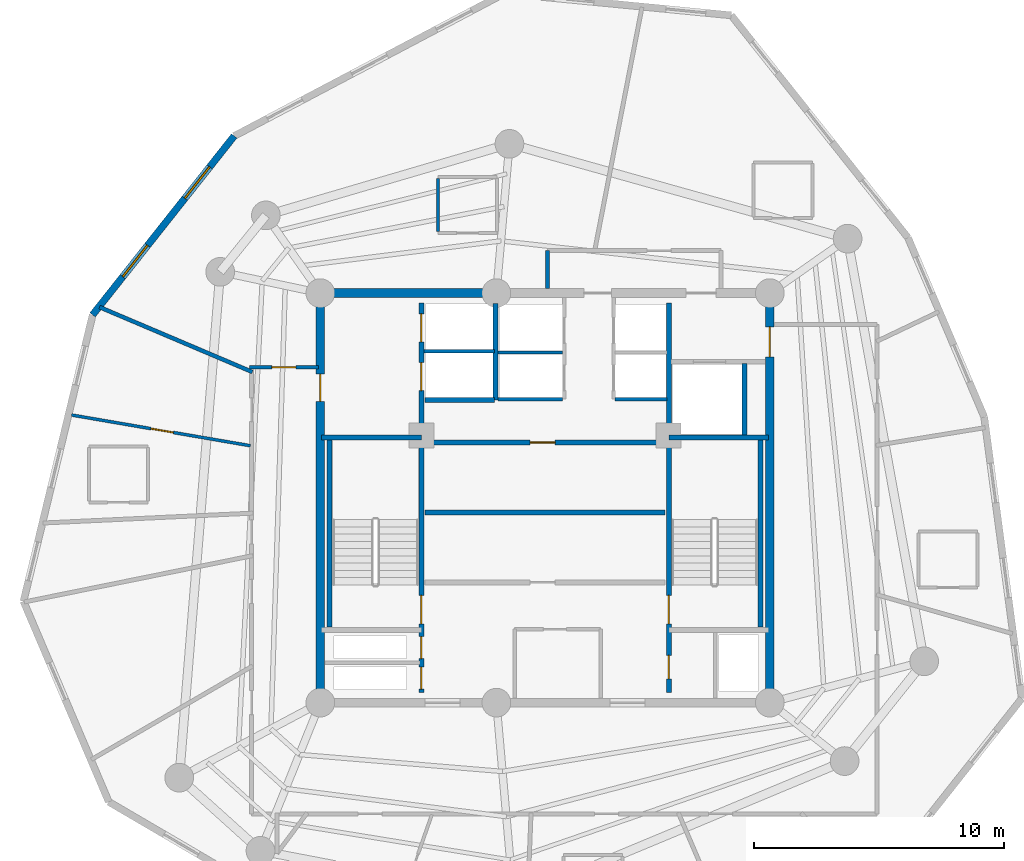
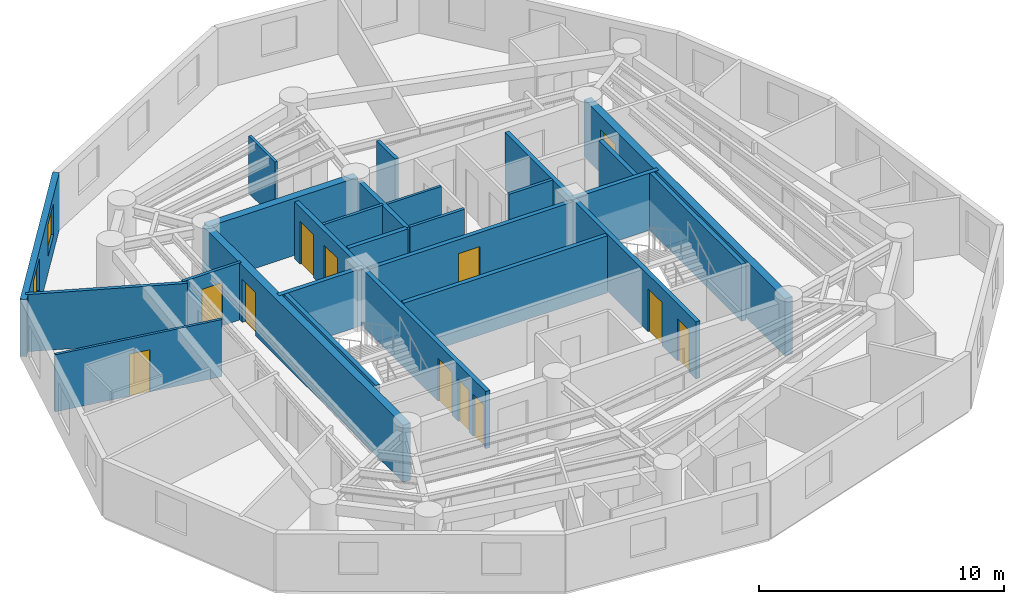
# One storey, part 4 of 7: 24 walls, 12 doors, 2 windows, 14 openings.
"""IFC4 building model written with IfcOpenShell, lengths in metres."""

from ifc_helpers import new_model, si_unit, direction, frame, frame_2d, origin, origin_with_axes, place, context, subcontext, project, spatial, rectangle, extrude, source, transform, mapped, material, layer, layer_set, type_object, element, fill, save


model = new_model("IFC4")

# Units and contexts
model_context = context("Model", 3, precision=1e-05, world=origin(), true_north=direction((0.0, 1.0)))
body_context = subcontext(model_context, "Body", "Model", "MODEL_VIEW")
ifc_project = project(units=[si_unit("LENGTHUNIT", "METRE"), si_unit("AREAUNIT", "SQUARE_METRE"), si_unit("VOLUMEUNIT", "CUBIC_METRE"), si_unit("PLANEANGLEUNIT", "RADIAN"), si_unit("MASSUNIT", "GRAM", prefix="KILO")], contexts=[model_context])

# Site, building, storey
site_placement = place(None, origin())
site = spatial("IfcSite", under=ifc_project, at=site_placement, CompositionType="ELEMENT")
building_placement = place(site_placement, origin())
building = spatial("IfcBuilding", under=site, at=building_placement, Name="Karkom Vertical University and Central Library", CompositionType="ELEMENT")
storey_placement = place(building_placement, frame((0.0, 0.0, 244.35009765625)))
storey = spatial("IfcBuildingStorey", under=building, at=storey_placement, Name="L72", CompositionType="ELEMENT", Elevation=244.35009765625)

# Wall, openings, windows
ifc_material_1 = material(Name="Brick-faced precast concrete C45/55", Category="masonry")
ifc_layer_1 = layer(ifc_material_1, 0.280029296875)
ifc_layer_set_1 = layer_set([ifc_layer_1], Name="Brick-faced precast concrete C45/55")
wall_type_1 = type_object("IfcWallType", Name="ENV-WL-BRK-280", PredefinedType="SOLIDWALL", material=ifc_layer_set_1)
wall_1_placement = place(storey_placement, frame((16.04931640625, 40.993896484375, 0.0), z_axis=(0.0, 0.0, 1.0), x_axis=(-0.620583849852, -0.784140092906, 0.0)))
wall_1 = element("IfcWall", 1, at=wall_1_placement, inside=storey, type_object=wall_type_1, Name="Level 72 Brick-Faced Precast Facade Wall 11", PredefinedType="SOLIDWALL", context=body_context, shape_type="SweptSolid", body=[
    extrude(rectangle(XDim=9.13671875, YDim=0.280029296875, at=frame_2d((4.568359375, 0.0))), origin(), (0.0, 0.0, 1.0), 2.849853515625),
])
opening_1_placement = place(wall_1_placement, frame((1.5830078125, 0.0, 0.85009765625)))
opening_1 = element("IfcOpeningElement", 2, at=opening_1_placement, cuts=wall_1, Name="Opening WN-10", PredefinedType="OPENING", context=body_context, shape_type="SweptSolid", body=[
    extrude(rectangle(XDim=1.60009765625, YDim=1.60009765625, at=frame_2d((0.800048828125, 0.800048828125))), frame((0.0, 0.14990234375, 0.0), z_axis=(0.0, -1.0, 0.0), x_axis=(1.0, 0.0, 0.0)), (0.0, 0.0, 1.0), 0.300048828125),
])
opening_2_placement = place(wall_1_placement, frame((5.5888671875, 0.0, 0.85009765625)))
opening_2 = element("IfcOpeningElement", 3, at=opening_2_placement, cuts=wall_1, Name="Opening WN-10", PredefinedType="OPENING", context=body_context, shape_type="SweptSolid", body=[
    extrude(rectangle(XDim=1.60009765625, YDim=1.60009765625, at=frame_2d((0.800048828125, 0.800048828125))), frame((0.0, 0.14990234375, 0.0), z_axis=(0.0, -1.0, 0.0), x_axis=(1.0, 0.0, 0.0)), (0.0, 0.0, 1.0), 0.300048828125),
])
ifc_material_2 = material(Name="Aluminium thermal-break frame with solar-control IGU", Category="aluminium")
window_type = type_object("IfcWindowType", Name="ENV-WIN-WN-10", PartitioningType="SINGLE_PANEL", PredefinedType="WINDOW", material=ifc_material_2)
shared_shape_1 = source(origin_with_axes(), body_context, "Body", "SweptSolid", [
    extrude(rectangle(XDim=1.60009765625, YDim=1.60009765625, at=frame_2d((0.800048828125, 0.800048828125))), frame((0.0, 0.030029296875, 0.0), z_axis=(0.0, -1.0, 0.0), x_axis=(1.0, 0.0, 0.0)), (0.0, 0.0, 1.0), 0.06005859375),
])
window_1_placement = place(opening_1_placement, origin())
window_1 = element("IfcWindow", 4, at=window_1_placement, inside=storey, type_object=window_type, Name="Level 72 Punched Window 11.1", OverallHeight=1.60009765625, OverallWidth=1.60009765625, PartitioningType="SINGLE_PANEL", PredefinedType="WINDOW", context=body_context, shape_type="MappedRepresentation", body=[
    mapped(shared_shape_1, transform((0.0, 0.0, 0.0), scale=1.0)),
])
fill(opening_1, window_1)
window_2_placement = place(opening_2_placement, origin())
window_2 = element("IfcWindow", 5, at=window_2_placement, inside=storey, type_object=window_type, Name="Level 72 Punched Window 11.2", OverallHeight=1.60009765625, OverallWidth=1.60009765625, PartitioningType="SINGLE_PANEL", PredefinedType="WINDOW", context=body_context, shape_type="MappedRepresentation", body=[
    mapped(shared_shape_1, transform((0.0, 0.0, 0.0), scale=1.0)),
])
fill(opening_2, window_2)

# Walls
ifc_material_3 = material(Name="Insulated metal-stud drywall 160mm", Category="gypsum")
ifc_layer_2 = layer(ifc_material_3, 0.159912109375)
ifc_layer_set_2 = layer_set([ifc_layer_2], Name="Insulated metal-stud drywall 160mm")
wall_type_2 = type_object("IfcWallType", Name="INT-WL-COR-160", PredefinedType="PARTITIONING", material=ifc_layer_set_2)
wall_2_placement = place(storey_placement, frame((16.777587890625, 31.541015625, 0.0), z_axis=(0.0, 0.0, 1.0), x_axis=(-0.920499732199, 0.390743193188, 0.0)))
element("IfcWall", 6, at=wall_2_placement, inside=storey, type_object=wall_type_2, Name="Level 72 Interior Partition Wall L72-PW-015", PredefinedType="PARTITIONING", context=body_context, shape_type="SweptSolid", body=[
    extrude(rectangle(XDim=6.6474609375, YDim=0.159912109375, at=frame_2d((3.32373046875, 0.0))), origin(), (0.0, 0.0, 1.0), 2.849853515625),
])
wall_3_placement = place(storey_placement, frame((28.60009765625, 34.882080078125, 0.0), z_axis=(0.0, 0.0, 1.0), x_axis=(0.0, 1.0, 0.0)))
element("IfcWall", 7, at=wall_3_placement, inside=storey, type_object=wall_type_2, Name="Level 72 Interior Partition Wall L72-CORW-CW-006", PredefinedType="PARTITIONING", context=body_context, shape_type="SweptSolid", body=[
    extrude(rectangle(XDim=1.517822265625, YDim=0.159912109375, at=frame_2d((0.7587890625, 0.0))), origin(), (0.0, 0.0, 1.0), 2.849853515625),
])

# Wall, opening, door
ifc_material_4 = material(Name="Moisture-resistant drywall 120mm", Category="gypsum")
ifc_layer_3 = layer(ifc_material_4, 0.1201171875)
ifc_layer_set_3 = layer_set([ifc_layer_3], Name="Moisture-resistant drywall 120mm")
wall_type_3 = type_object("IfcWallType", Name="INT-WL-INT-120", PredefinedType="PARTITIONING", material=ifc_layer_set_3)
wall_4_placement = place(storey_placement, frame((16.69970703125, 28.588134765625, 0.0), z_axis=(0.0, 0.0, 1.0), x_axis=(-0.98556527765, 0.16929584605, 0.0)))
wall_4 = element("IfcWall", 8, at=wall_4_placement, inside=storey, type_object=wall_type_3, Name="Level 72 Interior Partition Wall L72-APT-12-DIV", PredefinedType="PARTITIONING", context=body_context, shape_type="SweptSolid", body=[
    extrude(rectangle(XDim=7.265380859375, YDim=0.1201171875, at=frame_2d((3.6328125, 0.0))), origin(), (0.0, 0.0, 1.0), 2.849853515625),
])
opening_3_placement = place(wall_4_placement, frame((3.139892578125, 0.0, 0.0)))
opening_3 = element("IfcOpeningElement", 9, at=opening_3_placement, cuts=wall_4, Name="Opening D-INT1", PredefinedType="OPENING", context=body_context, shape_type="SweptSolid", body=[
    extrude(rectangle(XDim=0.89990234375, YDim=2.10009765625, at=frame_2d((0.449951171875, 1.050048828125))), frame((0.0, 0.070068359375, 0.0), z_axis=(0.0, -1.0, 0.0), x_axis=(1.0, 0.0, 0.0)), (0.0, 0.0, 1.0), 0.14013671875),
])
ifc_material_5 = material(Name="Painted solid-core timber door", Category="wood")
door_type_1 = type_object("IfcDoorType", Name="INT-DR-INT1", OperationType="NOTDEFINED", PredefinedType="DOOR", material=ifc_material_5)
shared_shape_2 = source(origin_with_axes(), body_context, "Body", "SweptSolid", [
    extrude(rectangle(XDim=0.89990234375, YDim=2.10009765625, at=frame_2d((0.449951171875, 1.050048828125))), frame((0.0, 0.02490234375, 0.0), z_axis=(0.0, -1.0, 0.0), x_axis=(1.0, 0.0, 0.0)), (0.0, 0.0, 1.0), 0.050048828125),
])
door_1_placement = place(opening_3_placement, origin())
door_1 = element("IfcDoor", 10, at=door_1_placement, inside=storey, type_object=door_type_1, Name="Level 72 Flat L72-12 Internal Door", OperationType="SINGLE_SWING_LEFT", OverallHeight=2.10009765625, OverallWidth=0.89990234375, PredefinedType="DOOR", context=body_context, shape_type="MappedRepresentation", body=[
    mapped(shared_shape_2, transform((0.0, 0.0, 0.0), scale=1.0)),
])
fill(opening_3, door_1)

# Walls
ifc_layer_4 = layer(ifc_material_4, 0.1201171875)
ifc_layer_set_4 = layer_set([ifc_layer_4], Name="Moisture-resistant drywall 120mm")
wall_type_4 = type_object("IfcWallType", Name="INT-WL-INT-120F", PredefinedType="PARTITIONING", material=ifc_layer_set_4)
wall_5_placement = place(storey_placement, frame((24.220947265625, 39.298095703125, 0.0), z_axis=(0.0, 0.0, 1.0), x_axis=(0.0, -1.0, 0.0)))
element("IfcWall", 11, at=wall_5_placement, inside=storey, type_object=wall_type_4, Name="Level 72 Interior Partition Wall L72-ENS-50-W", PredefinedType="PARTITIONING", context=body_context, shape_type="SweptSolid", body=[
    extrude(rectangle(XDim=2.14013671875, YDim=0.1201171875, at=frame_2d((1.070068359375, 0.0))), origin(), (0.0, 0.0, 1.0), 2.849853515625),
])
ifc_layer_5 = layer(ifc_material_4, 0.1201171875)
ifc_layer_set_5 = layer_set([ifc_layer_5], Name="Moisture-resistant drywall 120mm")
wall_type_5 = type_object("IfcWallType", Name="INT-WL-INT-120H", PredefinedType="PARTITIONING", material=ifc_layer_set_5)
wall_6_placement = place(storey_placement, frame((26.6201171875, 32.320068359375, 0.0), z_axis=(0.0, 0.0, 1.0), x_axis=(1.0, 0.0, 0.0)))
element("IfcWall", 12, at=wall_6_placement, inside=storey, type_object=wall_type_5, Name="Level 72 Interior Partition Wall L72-CW-PH-MW", PredefinedType="PARTITIONING", context=body_context, shape_type="SweptSolid", body=[
    extrude(rectangle(XDim=2.579833984375, YDim=0.1201171875, at=frame_2d((1.2900390625, 0.0))), origin(), (0.0, 0.0, 1.0), 2.849853515625),
])

# Wall, opening, door
ifc_material_6 = material(Name="Metal-stud gypsum partition 140mm", Category="gypsum")
ifc_layer_6 = layer(ifc_material_6, 0.139892578125)
ifc_layer_set_6 = layer_set([ifc_layer_6], Name="Metal-stud gypsum partition 140mm")
wall_type_6 = type_object("IfcWallType", Name="INT-WL-SUB-140", PredefinedType="PARTITIONING", material=ifc_layer_set_6)
wall_7_placement = place(storey_placement, frame((19.419921875, 31.72998046875, 0.0), z_axis=(0.0, 0.0, 1.0), x_axis=(-1.0, 0.0, 0.0)))
wall_7 = element("IfcWall", 13, at=wall_7_placement, inside=storey, type_object=wall_type_6, Name="Level 72 Interior Partition Wall L72-CWALL-420", PredefinedType="PARTITIONING", context=body_context, shape_type="SweptSolid", body=[
    extrude(rectangle(XDim=2.75, YDim=0.139892578125, at=frame_2d((1.375, 0.0))), origin(), (0.0, 0.0, 1.0), 2.849853515625),
])
opening_4_placement = place(wall_7_placement, frame((0.89990234375, 0.0, 0.0)))
opening_4 = element("IfcOpeningElement", 14, at=opening_4_placement, cuts=wall_7, Name="Opening FD-RM2", PredefinedType="OPENING", context=body_context, shape_type="SweptSolid", body=[
    extrude(rectangle(XDim=0.9599609375, YDim=2.14990234375, at=frame_2d((0.47998046875, 1.074951171875))), frame((0.0, 0.080078125, 0.0), z_axis=(0.0, -1.0, 0.0), x_axis=(1.0, 0.0, 0.0)), (0.0, 0.0, 1.0), 0.159912109375),
])
ifc_material_7 = material(Name="Fire-rated oak veneer door", Category="wood")
door_type_2 = type_object("IfcDoorType", Name="INT-DR-FRM2", OperationType="NOTDEFINED", PredefinedType="DOOR", material=ifc_material_7)
shared_shape_3 = source(origin_with_axes(), body_context, "Body", "SweptSolid", [
    extrude(rectangle(XDim=0.9599609375, YDim=2.14990234375, at=frame_2d((0.47998046875, 1.074951171875))), frame((0.0, 0.02490234375, 0.0), z_axis=(0.0, -1.0, 0.0), x_axis=(1.0, 0.0, 0.0)), (0.0, 0.0, 1.0), 0.050048828125),
])
door_2_placement = place(opening_4_placement, origin())
door_2 = element("IfcDoor", 15, at=door_2_placement, inside=storey, type_object=door_type_2, Name="Level 72 Room Entry Door 420", OperationType="SINGLE_SWING_LEFT", OverallHeight=2.14990234375, OverallWidth=0.9599609375, PredefinedType="DOOR", context=body_context, shape_type="MappedRepresentation", body=[
    mapped(shared_shape_3, transform((0.0, 0.0, 0.0), scale=1.0)),
])
fill(opening_4, door_2)

# Walls
ifc_layer_7 = layer(ifc_material_6, 0.139892578125)
ifc_layer_set_7 = layer_set([ifc_layer_7], Name="Metal-stud gypsum partition 140mm")
wall_type_7 = type_object("IfcWallType", Name="INT-WL-SUB-140H", PredefinedType="PARTITIONING", material=ifc_layer_set_7)
wall_8_placement = place(storey_placement, frame((26.6201171875, 30.449951171875, 0.0), z_axis=(0.0, 0.0, 1.0), x_axis=(1.0, 0.0, 0.0)))
element("IfcWall", 16, at=wall_8_placement, inside=storey, type_object=wall_type_7, Name="Level 72 Interior Partition Wall L72-CW-PH-S1", PredefinedType="PARTITIONING", context=body_context, shape_type="SweptSolid", body=[
    extrude(rectangle(XDim=2.579833984375, YDim=0.139892578125, at=frame_2d((1.2900390625, 0.0))), origin(), (0.0, 0.0, 1.0), 2.849853515625),
])
wall_9_placement = place(storey_placement, frame((31.300048828125, 30.449951171875, 0.0), z_axis=(0.0, 0.0, 1.0), x_axis=(1.0, 0.0, 0.0)))
element("IfcWall", 17, at=wall_9_placement, inside=storey, type_object=wall_type_7, Name="Level 72 Interior Partition Wall L72-CW-PH-S2", PredefinedType="PARTITIONING", context=body_context, shape_type="SweptSolid", body=[
    extrude(rectangle(XDim=2.074951171875, YDim=0.139892578125, at=frame_2d((1.03759765625, 0.0))), origin(), (0.0, 0.0, 1.0), 2.849853515625),
])
ifc_layer_8 = layer(ifc_material_6, 0.139892578125)
ifc_layer_set_8 = layer_set([ifc_layer_8], Name="Metal-stud gypsum partition 140mm")
wall_type_8 = type_object("IfcWallType", Name="INT-WL-SUB-140X", PredefinedType="PARTITIONING", material=ifc_layer_set_8)
wall_10_placement = place(storey_placement, frame((23.652099609375, 32.3701171875, 0.0), z_axis=(0.0, 0.0, 1.0), x_axis=(1.0, 0.0, 0.0)))
element("IfcWall", 18, at=wall_10_placement, inside=storey, type_object=wall_type_8, Name="Level 72 Interior Partition Wall L72-CW-FFL-M", PredefinedType="PARTITIONING", context=body_context, shape_type="SweptSolid", body=[
    extrude(rectangle(XDim=2.827880859375, YDim=0.139892578125, at=frame_2d((1.4140625, 0.0))), origin(), (0.0, 0.0, 1.0), 2.849853515625),
])

# Wall, opening, door
ifc_material_8 = material(Name="Concrete C45/55", Category="concrete")
ifc_layer_9 = layer(ifc_material_8, 0.35009765625)
ifc_layer_set_9 = layer_set([ifc_layer_9], Name="Concrete C45/55")
wall_type_9 = type_object("IfcWallType", Name="STR-WL-CW-350", PredefinedType="SHEAR", material=ifc_layer_set_9)
wall_11_placement = place(storey_placement, frame((37.5, 18.300048828125, 0.0), z_axis=(0.0, 0.0, 1.0), x_axis=(0.0, 1.0, 0.0)))
wall_11 = element("IfcWall", 19, at=wall_11_placement, inside=storey, type_object=wall_type_9, Name="Level 72 Central Core Shear Wall EW", PredefinedType="SHEAR", context=body_context, shape_type="SweptSolid", body=[
    extrude(rectangle(XDim=16.39990234375, YDim=0.35009765625, at=frame_2d((8.199951171875, 0.0))), origin(), (0.0, 0.0, 1.0), 2.849853515625),
])
opening_5_placement = place(wall_11_placement, frame((13.85009765625, 0.0, 0.0)))
opening_5 = element("IfcOpeningElement", 20, at=opening_5_placement, cuts=wall_11, Name="Opening FD-SUB1", PredefinedType="OPENING", context=body_context, shape_type="SweptSolid", body=[
    extrude(rectangle(XDim=1.199951171875, YDim=2.14990234375, at=frame_2d((0.60009765625, 1.074951171875))), frame((0.0, 0.18505859375, 0.0), z_axis=(0.0, -1.0, 0.0), x_axis=(1.0, 0.0, 0.0)), (0.0, 0.0, 1.0), 0.3701171875),
])
ifc_material_9 = material(Name="Painted steel fire door", Category="steel")
door_type_3 = type_object("IfcDoorType", Name="INT-DR-SUB1", OperationType="NOTDEFINED", PredefinedType="DOOR", material=ifc_material_9)
shared_shape_4 = source(origin_with_axes(), body_context, "Body", "SweptSolid", [
    extrude(rectangle(XDim=1.199951171875, YDim=2.14990234375, at=frame_2d((0.60009765625, 1.074951171875))), frame((0.0, 0.02490234375, 0.0), z_axis=(0.0, -1.0, 0.0), x_axis=(1.0, 0.0, 0.0)), (0.0, 0.0, 1.0), 0.050048828125),
])
door_3_placement = place(opening_5_placement, origin())
door_3 = element("IfcDoor", 21, at=door_3_placement, inside=storey, type_object=door_type_3, Name="Level 72 East Corridor Service Lobby Door", OperationType="SINGLE_SWING_RIGHT", OverallHeight=2.14990234375, OverallWidth=1.199951171875, PredefinedType="DOOR", context=body_context, shape_type="MappedRepresentation", body=[
    mapped(shared_shape_4, transform((0.0, 0.0, 0.0), scale=1.0)),
])
fill(opening_5, door_3)

# Wall
wall_12_placement = place(storey_placement, frame((26.550048828125, 34.699951171875, 0.0), z_axis=(0.0, 0.0, 1.0), x_axis=(-1.0, 0.0, 0.0)))
element("IfcWall", 22, at=wall_12_placement, inside=storey, type_object=wall_type_9, Name="Level 72 Central Core Shear Wall NW2", PredefinedType="SHEAR", context=body_context, shape_type="SweptSolid", body=[
    extrude(rectangle(XDim=7.050048828125, YDim=0.35009765625, at=frame_2d((3.52490234375, 0.0))), origin(), (0.0, 0.0, 1.0), 2.849853515625),
])

# Wall, opening, door
wall_13_placement = place(storey_placement, frame((19.5, 34.699951171875, 0.0), z_axis=(0.0, 0.0, 1.0), x_axis=(0.0, -1.0, 0.0)))
wall_13 = element("IfcWall", 23, at=wall_13_placement, inside=storey, type_object=wall_type_9, Name="Level 72 Central Core Shear Wall WW", PredefinedType="SHEAR", context=body_context, shape_type="SweptSolid", body=[
    extrude(rectangle(XDim=16.39990234375, YDim=0.35009765625, at=frame_2d((8.199951171875, 0.0))), origin(), (0.0, 0.0, 1.0), 2.849853515625),
])
opening_6_placement = place(wall_13_placement, frame((3.239990234375, 0.0, 0.0)))
opening_6 = element("IfcOpeningElement", 24, at=opening_6_placement, cuts=wall_13, Name="Opening FD-FFL", PredefinedType="OPENING", context=body_context, shape_type="SweptSolid", body=[
    extrude(rectangle(XDim=1.10009765625, YDim=2.14990234375, at=frame_2d((0.550048828125, 1.074951171875))), frame((0.0, 0.18505859375, 0.0), z_axis=(0.0, -1.0, 0.0), x_axis=(1.0, 0.0, 0.0)), (0.0, 0.0, 1.0), 0.3701171875),
])
ifc_material_10 = material(Name="Painted steel smoke-seal fire door", Category="steel")
door_type_4 = type_object("IfcDoorType", Name="INT-DR-FFL", OperationType="NOTDEFINED", PredefinedType="DOOR", material=ifc_material_10)
shared_shape_5 = source(origin_with_axes(), body_context, "Body", "SweptSolid", [
    extrude(rectangle(XDim=1.10009765625, YDim=2.14990234375, at=frame_2d((0.550048828125, 1.074951171875))), frame((0.0, 0.02490234375, 0.0), z_axis=(0.0, -1.0, 0.0), x_axis=(1.0, 0.0, 0.0)), (0.0, 0.0, 1.0), 0.050048828125),
])
door_4_placement = place(opening_6_placement, origin())
door_4 = element("IfcDoor", 25, at=door_4_placement, inside=storey, type_object=door_type_4, Name="Level 72 West Corridor Firefighting Lobby Door", OperationType="SINGLE_SWING_LEFT", OverallHeight=2.14990234375, OverallWidth=1.10009765625, PredefinedType="DOOR", context=body_context, shape_type="MappedRepresentation", body=[
    mapped(shared_shape_5, transform((0.0, 0.0, 0.0), scale=1.0)),
])
fill(opening_6, door_4)

# Wall, openings, doors
ifc_layer_10 = layer(ifc_material_8, 0.199951171875)
ifc_layer_set_10 = layer_set([ifc_layer_10], Name="Concrete C45/55")
wall_type_10 = type_object("IfcWallType", Name="STR-WL-ST-200", PredefinedType="SHEAR", material=ifc_layer_set_10)
wall_14_placement = place(storey_placement, frame((23.544921875, 18.699951171875, 0.0), z_axis=(0.0, 0.0, 1.0), x_axis=(0.0, 1.0, 0.0)))
wall_14 = element("IfcWall", 26, at=wall_14_placement, inside=storey, type_object=wall_type_10, Name="Level 72 Core Shaft Wall L72-CW-ST1-E", PredefinedType="SHEAR", context=body_context, shape_type="SweptSolid", body=[
    extrude(rectangle(XDim=15.60009765625, YDim=0.199951171875, at=frame_2d((7.800048828125, 0.0))), origin(), (0.0, 0.0, 1.0), 2.849853515625),
])
opening_7_placement = place(wall_14_placement, frame((2.75, 0.0, 0.0)))
opening_7 = element("IfcOpeningElement", 27, at=opening_7_placement, cuts=wall_14, Name="Opening FD-ST1", PredefinedType="OPENING", context=body_context, shape_type="SweptSolid", body=[
    extrude(rectangle(XDim=1.14990234375, YDim=2.14990234375, at=frame_2d((0.574951171875, 1.074951171875))), frame((0.0, 0.10986328125, 0.0), z_axis=(0.0, -1.0, 0.0), x_axis=(1.0, 0.0, 0.0)), (0.0, 0.0, 1.0), 0.219970703125),
])
opening_8_placement = place(wall_14_placement, frame((0.139892578125, 0.0, 0.0)))
opening_8 = element("IfcOpeningElement", 28, at=opening_8_placement, cuts=wall_14, Name="Opening FD-RIS", PredefinedType="OPENING", context=body_context, shape_type="SweptSolid", body=[
    extrude(rectangle(XDim=0.8798828125, YDim=2.10009765625, at=frame_2d((0.43994140625, 1.050048828125))), frame((0.0, 0.10986328125, 0.0), z_axis=(0.0, -1.0, 0.0), x_axis=(1.0, 0.0, 0.0)), (0.0, 0.0, 1.0), 0.219970703125),
])
opening_9_placement = place(wall_14_placement, frame((1.360107421875, 0.0, 0.0)))
opening_9 = element("IfcOpeningElement", 29, at=opening_9_placement, cuts=wall_14, Name="Opening FD-RIS", PredefinedType="OPENING", context=body_context, shape_type="SweptSolid", body=[
    extrude(rectangle(XDim=0.8798828125, YDim=2.10009765625, at=frame_2d((0.43994140625, 1.050048828125))), frame((0.0, 0.10986328125, 0.0), z_axis=(0.0, -1.0, 0.0), x_axis=(1.0, 0.0, 0.0)), (0.0, 0.0, 1.0), 0.219970703125),
])
opening_10_placement = place(wall_14_placement, frame((12.10009765625, 0.0, 0.0)))
opening_10 = element("IfcOpeningElement", 30, at=opening_10_placement, cuts=wall_14, Name="Opening LD-FFL", PredefinedType="OPENING", context=body_context, shape_type="SweptSolid", body=[
    extrude(rectangle(XDim=1.1201171875, YDim=2.14990234375, at=frame_2d((0.56005859375, 1.074951171875))), frame((0.0, 0.10986328125, 0.0), z_axis=(0.0, -1.0, 0.0), x_axis=(1.0, 0.0, 0.0)), (0.0, 0.0, 1.0), 0.219970703125),
])
opening_11_placement = place(wall_14_placement, frame((14.050048828125, 0.0, 0.0)))
opening_11 = element("IfcOpeningElement", 31, at=opening_11_placement, cuts=wall_14, Name="Opening LD-FFL", PredefinedType="OPENING", context=body_context, shape_type="SweptSolid", body=[
    extrude(rectangle(XDim=1.1201171875, YDim=2.14990234375, at=frame_2d((0.56005859375, 1.074951171875))), frame((0.0, 0.10986328125, 0.0), z_axis=(0.0, -1.0, 0.0), x_axis=(1.0, 0.0, 0.0)), (0.0, 0.0, 1.0), 0.219970703125),
])
ifc_material_11 = material(Name="Painted steel acoustic fire door", Category="steel")
door_type_5 = type_object("IfcDoorType", Name="INT-DR-ST1", OperationType="NOTDEFINED", PredefinedType="DOOR", material=ifc_material_11)
shared_shape_6 = source(origin_with_axes(), body_context, "Body", "SweptSolid", [
    extrude(rectangle(XDim=1.14990234375, YDim=2.14990234375, at=frame_2d((0.574951171875, 1.074951171875))), frame((0.0, 0.02490234375, 0.0), z_axis=(0.0, -1.0, 0.0), x_axis=(1.0, 0.0, 0.0)), (0.0, 0.0, 1.0), 0.050048828125),
])
door_5_placement = place(opening_7_placement, origin())
door_5 = element("IfcDoor", 32, at=door_5_placement, inside=storey, type_object=door_type_5, Name="Level 72 Stair ST-1 Fire Door", OperationType="SINGLE_SWING_LEFT", OverallHeight=2.14990234375, OverallWidth=1.14990234375, PredefinedType="DOOR", context=body_context, shape_type="MappedRepresentation", body=[
    mapped(shared_shape_6, transform((0.0, 0.0, 0.0), scale=1.0)),
])
fill(opening_7, door_5)
ifc_material_12 = material(Name="Painted steel riser access door", Category="steel")
door_type_6 = type_object("IfcDoorType", Name="INT-DR-RIS", OperationType="NOTDEFINED", PredefinedType="DOOR", material=ifc_material_12)
shared_shape_7 = source(origin_with_axes(), body_context, "Body", "SweptSolid", [
    extrude(rectangle(XDim=0.8798828125, YDim=2.10009765625, at=frame_2d((0.43994140625, 1.050048828125))), frame((0.0, 0.02490234375, 0.0), z_axis=(0.0, -1.0, 0.0), x_axis=(1.0, 0.0, 0.0)), (0.0, 0.0, 1.0), 0.050048828125),
])
door_6_placement = place(opening_8_placement, origin())
door_6 = element("IfcDoor", 33, at=door_6_placement, inside=storey, type_object=door_type_6, Name="Level 72 Electrical Riser Access Door", OperationType="SINGLE_SWING_RIGHT", OverallHeight=2.10009765625, OverallWidth=0.8798828125, PredefinedType="DOOR", context=body_context, shape_type="MappedRepresentation", body=[
    mapped(shared_shape_7, transform((0.0, 0.0, 0.0), scale=1.0)),
])
fill(opening_8, door_6)
door_7_placement = place(opening_9_placement, origin())
door_7 = element("IfcDoor", 34, at=door_7_placement, inside=storey, type_object=door_type_6, Name="Level 72 Telecom Riser Access Door", OperationType="SINGLE_SWING_LEFT", OverallHeight=2.10009765625, OverallWidth=0.8798828125, PredefinedType="DOOR", context=body_context, shape_type="MappedRepresentation", body=[
    mapped(shared_shape_7, transform((0.0, 0.0, 0.0), scale=1.0)),
])
fill(opening_9, door_7)
ifc_material_13 = material(Name="Fire-rated stainless-steel landing door", Category="steel")
door_type_7 = type_object("IfcDoorType", Name="INT-DR-LD-FFL", OperationType="SLIDING_TO_LEFT", PredefinedType="DOOR", material=ifc_material_13)
shared_shape_8 = source(origin_with_axes(), body_context, "Body", "SweptSolid", [
    extrude(rectangle(XDim=1.1201171875, YDim=2.14990234375, at=frame_2d((0.56005859375, 1.074951171875))), frame((0.0, 0.02490234375, 0.0), z_axis=(0.0, -1.0, 0.0), x_axis=(1.0, 0.0, 0.0)), (0.0, 0.0, 1.0), 0.050048828125),
])
door_8_placement = place(opening_10_placement, origin())
door_8 = element("IfcDoor", 35, at=door_8_placement, inside=storey, type_object=door_type_7, Name="Level 72 Firefighting Lift FFL-1 Landing Door", OperationType="SLIDING_TO_LEFT", OverallHeight=2.14990234375, OverallWidth=1.1201171875, PredefinedType="DOOR", context=body_context, shape_type="MappedRepresentation", body=[
    mapped(shared_shape_8, transform((0.0, 0.0, 0.0), scale=1.0)),
])
fill(opening_10, door_8)
door_9_placement = place(opening_11_placement, origin())
door_9 = element("IfcDoor", 36, at=door_9_placement, inside=storey, type_object=door_type_7, Name="Level 72 Firefighting Lift FFL-2 Landing Door", OperationType="SLIDING_TO_RIGHT", OverallHeight=2.14990234375, OverallWidth=1.1201171875, PredefinedType="DOOR", context=body_context, shape_type="MappedRepresentation", body=[
    mapped(shared_shape_8, transform((0.0, 0.0, 0.0), scale=1.0)),
])
fill(opening_11, door_9)

wall_15_placement = place(storey_placement, frame((33.455078125, 18.699951171875, 0.0), z_axis=(0.0, 0.0, 1.0), x_axis=(0.0, 1.0, 0.0)))
wall_15 = element("IfcWall", 37, at=wall_15_placement, inside=storey, type_object=wall_type_10, Name="Level 72 Core Shaft Wall L72-CW-ST2-W", PredefinedType="SHEAR", context=body_context, shape_type="SweptSolid", body=[
    extrude(rectangle(XDim=15.60009765625, YDim=0.199951171875, at=frame_2d((7.800048828125, 0.0))), origin(), (0.0, 0.0, 1.0), 2.849853515625),
])
opening_12_placement = place(wall_15_placement, frame((2.75, 0.0, 0.0)))
opening_12 = element("IfcOpeningElement", 38, at=opening_12_placement, cuts=wall_15, Name="Opening FD-ST1", PredefinedType="OPENING", context=body_context, shape_type="SweptSolid", body=[
    extrude(rectangle(XDim=1.14990234375, YDim=2.14990234375, at=frame_2d((0.574951171875, 1.074951171875))), frame((0.0, 0.10986328125, 0.0), z_axis=(0.0, -1.0, 0.0), x_axis=(1.0, 0.0, 0.0)), (0.0, 0.0, 1.0), 0.219970703125),
])
opening_13_placement = place(wall_15_placement, frame((0.550048828125, 0.0, 0.0)))
opening_13 = element("IfcOpeningElement", 39, at=opening_13_placement, cuts=wall_15, Name="Opening D-WC1", PredefinedType="OPENING", context=body_context, shape_type="SweptSolid", body=[
    extrude(rectangle(XDim=0.93994140625, YDim=2.10009765625, at=frame_2d((0.469970703125, 1.050048828125))), frame((0.0, 0.10986328125, 0.0), z_axis=(0.0, -1.0, 0.0), x_axis=(1.0, 0.0, 0.0)), (0.0, 0.0, 1.0), 0.219970703125),
])
door_10_placement = place(opening_12_placement, origin())
door_10 = element("IfcDoor", 40, at=door_10_placement, inside=storey, type_object=door_type_5, Name="Level 72 Stair ST-2 Fire Door", OperationType="SINGLE_SWING_RIGHT", OverallHeight=2.14990234375, OverallWidth=1.14990234375, PredefinedType="DOOR", context=body_context, shape_type="MappedRepresentation", body=[
    mapped(shared_shape_6, transform((0.0, 0.0, 0.0), scale=1.0)),
])
fill(opening_12, door_10)
ifc_material_14 = material(Name="Fire-rated laminate moisture-resistant door", Category="wood")
door_type_8 = type_object("IfcDoorType", Name="INT-DR-WC1", OperationType="NOTDEFINED", PredefinedType="DOOR", material=ifc_material_14)
shared_shape_9 = source(origin_with_axes(), body_context, "Body", "SweptSolid", [
    extrude(rectangle(XDim=0.93994140625, YDim=2.10009765625, at=frame_2d((0.469970703125, 1.050048828125))), frame((0.0, 0.02490234375, 0.0), z_axis=(0.0, -1.0, 0.0), x_axis=(1.0, 0.0, 0.0)), (0.0, 0.0, 1.0), 0.050048828125),
])
door_11_placement = place(opening_13_placement, origin())
door_11 = element("IfcDoor", 41, at=door_11_placement, inside=storey, type_object=door_type_8, Name="Level 72 Accessible WC Door", OperationType="SINGLE_SWING_RIGHT", OverallHeight=2.10009765625, OverallWidth=0.93994140625, PredefinedType="DOOR", context=body_context, shape_type="MappedRepresentation", body=[
    mapped(shared_shape_9, transform((0.0, 0.0, 0.0), scale=1.0)),
])
fill(opening_13, door_11)

# Wall
wall_16_placement = place(storey_placement, frame((23.699951171875, 25.919921875, 0.0), z_axis=(0.0, 0.0, 1.0), x_axis=(1.0, 0.0, 0.0)))
element("IfcWall", 42, at=wall_16_placement, inside=storey, type_object=wall_type_10, Name="Level 72 Core Shaft Wall L72-CW-B1-N", PredefinedType="SHEAR", context=body_context, shape_type="SweptSolid", body=[
    extrude(rectangle(XDim=9.60009765625, YDim=0.199951171875, at=frame_2d((4.800048828125, 0.0))), origin(), (0.0, 0.0, 1.0), 2.849853515625),
])

# Wall, opening, door
wall_17_placement = place(storey_placement, frame((23.699951171875, 28.719970703125, 0.0), z_axis=(0.0, 0.0, 1.0), x_axis=(1.0, 0.0, 0.0)))
wall_17 = element("IfcWall", 43, at=wall_17_placement, inside=storey, type_object=wall_type_10, Name="Level 72 Core Shaft Wall L72-CW-B2-N", PredefinedType="SHEAR", context=body_context, shape_type="SweptSolid", body=[
    extrude(rectangle(XDim=9.60009765625, YDim=0.199951171875, at=frame_2d((4.800048828125, 0.0))), origin(), (0.0, 0.0, 1.0), 2.849853515625),
])
opening_14_placement = place(wall_17_placement, frame((4.199951171875, 0.0, 0.0)))
opening_14 = element("IfcOpeningElement", 44, at=opening_14_placement, cuts=wall_17, Name="Opening D-STR1", PredefinedType="OPENING", context=body_context, shape_type="SweptSolid", body=[
    extrude(rectangle(XDim=1.0, YDim=2.14990234375, at=frame_2d((0.5, 1.074951171875))), frame((0.0, 0.10986328125, 0.0), z_axis=(0.0, -1.0, 0.0), x_axis=(1.0, 0.0, 0.0)), (0.0, 0.0, 1.0), 0.219970703125),
])
ifc_material_15 = material(Name="Solid-core hardwood fire door", Category="wood")
door_type_9 = type_object("IfcDoorType", Name="INT-DR-STR1", OperationType="NOTDEFINED", PredefinedType="DOOR", material=ifc_material_15)
shared_shape_10 = source(origin_with_axes(), body_context, "Body", "SweptSolid", [
    extrude(rectangle(XDim=1.0, YDim=2.14990234375, at=frame_2d((0.5, 1.074951171875))), frame((0.0, 0.02490234375, 0.0), z_axis=(0.0, -1.0, 0.0), x_axis=(1.0, 0.0, 0.0)), (0.0, 0.0, 1.0), 0.050048828125),
])
door_12_placement = place(opening_14_placement, origin())
door_12 = element("IfcDoor", 45, at=door_12_placement, inside=storey, type_object=door_type_9, Name="Level 72 Fellows Supply Store Room Door", OperationType="SINGLE_SWING_LEFT", OverallHeight=2.14990234375, OverallWidth=1.0, PredefinedType="DOOR", context=body_context, shape_type="MappedRepresentation", body=[
    mapped(shared_shape_10, transform((0.0, 0.0, 0.0), scale=1.0)),
])
fill(opening_14, door_12)

# Walls
for number, where, z_axis, x_axis, name in (
    (46, (19.875, 21.320068359375, 0.0), (0.0, 0.0, 1.0), (0.0, 1.0, 0.0), "Level 72 Core Shaft Wall L72-CW-ST1-W"),
    (47, (37.125, 21.320068359375, 0.0), (0.0, 0.0, 1.0), (0.0, 1.0, 0.0), "Level 72 Core Shaft Wall L72-CW-ST2-E"),
):
    element("IfcWall", number, at=place(storey_placement, frame(where, z_axis=z_axis, x_axis=x_axis)), inside=storey, type_object=wall_type_10, Name=name, PredefinedType="SHEAR", context=body_context, shape_type="SweptSolid", body=[
        extrude(rectangle(XDim=7.5, YDim=0.199951171875, at=frame_2d((3.75, 0.0))), origin(), (0.0, 0.0, 1.0), 2.849853515625),
    ])
for number, where, z_axis, x_axis, name in (
    (48, (33.455078125, 28.925048828125, 0.0), (0.0, 0.0, 1.0), (1.0, 0.0, 0.0), "Level 72 Core Shaft Wall L72-CW-ST2-N"),
    (49, (19.550048828125, 28.925048828125, 0.0), (0.0, 0.0, 1.0), (1.0, 0.0, 0.0), "Level 72 Core Shaft Wall L72-CW-ST1-N"),
):
    element("IfcWall", number, at=place(storey_placement, frame(where, z_axis=z_axis, x_axis=x_axis)), inside=storey, type_object=wall_type_10, Name=name, PredefinedType="SHEAR", context=body_context, shape_type="SweptSolid", body=[
        extrude(rectangle(XDim=3.994873046875, YDim=0.199951171875, at=frame_2d((1.99755859375, 0.0))), origin(), (0.0, 0.0, 1.0), 2.849853515625),
    ])
wall_18_placement = place(storey_placement, frame((26.52001953125, 30.419921875, 0.0), z_axis=(0.0, 0.0, 1.0), x_axis=(0.0, 1.0, 0.0)))
element("IfcWall", 50, at=wall_18_placement, inside=storey, type_object=wall_type_10, Name="Level 72 Core Shaft Wall L72-CW-FFL-E", PredefinedType="SHEAR", context=body_context, shape_type="SweptSolid", body=[
    extrude(rectangle(XDim=3.860107421875, YDim=0.199951171875, at=frame_2d((1.93017578125, 0.0))), origin(), (0.0, 0.0, 1.0), 2.849853515625),
])
wall_19_placement = place(storey_placement, frame((36.47998046875, 29.02001953125, 0.0), z_axis=(0.0, 0.0, 1.0), x_axis=(0.0, 1.0, 0.0)))
element("IfcWall", 51, at=wall_19_placement, inside=storey, type_object=wall_type_10, Name="Level 72 Core Shaft Wall L72-CW-SVL-E", PredefinedType="SHEAR", context=body_context, shape_type="SweptSolid", body=[
    extrude(rectangle(XDim=2.85986328125, YDim=0.199951171875, at=frame_2d((1.429931640625, 0.0))), origin(), (0.0, 0.0, 1.0), 2.849853515625),
])
wall_20_placement = place(storey_placement, frame((23.699951171875, 30.419921875, 0.0), z_axis=(0.0, 0.0, 1.0), x_axis=(1.0, 0.0, 0.0)))
element("IfcWall", 52, at=wall_20_placement, inside=storey, type_object=wall_type_10, Name="Level 72 Core Shaft Wall L72-CW-FFL-S", PredefinedType="SHEAR", context=body_context, shape_type="SweptSolid", body=[
    extrude(rectangle(XDim=2.780029296875, YDim=0.199951171875, at=frame_2d((1.39013671875, 0.0))), origin(), (0.0, 0.0, 1.0), 2.849853515625),
])

save(model, "model.ifc")
